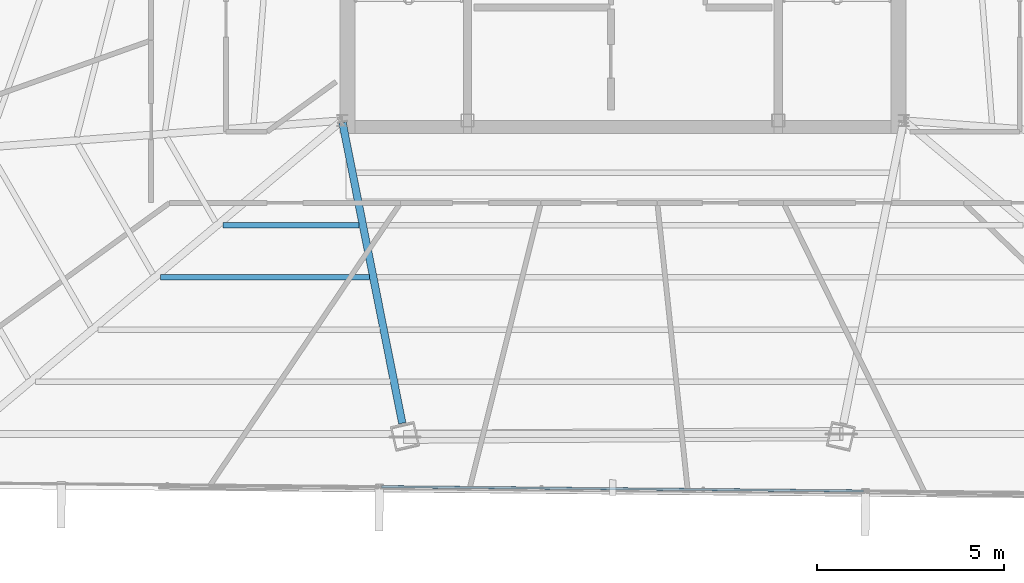
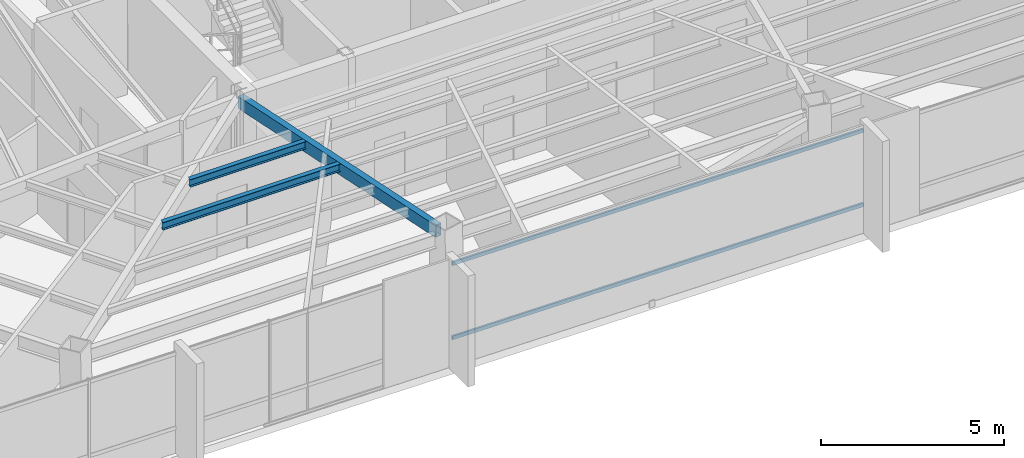
# One storey, part 12 of 46: 3 beams, 2 members, 1 element without a shape of its own.
"""IFC4 building model written with IfcOpenShell, lengths in metres."""

from ifc_helpers import new_model, si_unit, direction, frame, origin, origin_2d, place, context, subcontext, project, spatial, hollow_rectangle, i_section, extrude, source, transform, mapped, material, material_profile, profile_set, type_object, type_shapes, element, aggregate, save


model = new_model("IFC4")

# Units and contexts
model_context = context("Model", 3, precision=1e-05, world=origin(), true_north=direction((0.0, 1.0)))
body_context = subcontext(model_context, "Body", "Model", "MODEL_VIEW")
ifc_project = project(units=[si_unit("LENGTHUNIT", "METRE"), si_unit("AREAUNIT", "SQUARE_METRE"), si_unit("VOLUMEUNIT", "CUBIC_METRE"), si_unit("PLANEANGLEUNIT", "RADIAN"), si_unit("MASSUNIT", "GRAM", prefix="KILO")], contexts=[model_context])

# Site, building, storey
site_placement = place(None, origin())
site = spatial("IfcSite", under=ifc_project, at=site_placement, CompositionType="ELEMENT")
building_placement = place(site_placement, origin())
building = spatial("IfcBuilding", under=site, at=building_placement, Name="Caelisora Broadcast Tower", CompositionType="ELEMENT")
storey_placement = place(building_placement, frame((0.0, 0.0, 237.14990234375)))
storey = spatial("IfcBuildingStorey", under=building, at=storey_placement, Name="L62", CompositionType="ELEMENT", Elevation=237.14990234375)

# Beams
ifc_material_1 = material(Name="Steel Grade 350 (AS/NZS 1163 C350L0)", Category="steel")
ifc_material_profile_1 = material_profile(ifc_material_1, hollow_rectangle(XDim=0.199951171875, YDim=0.39990234375, WallThickness=0.012451171875, at=origin_2d()), Name="Steel Grade 350 (AS/NZS 1163 C350L0)")
ifc_profile_set_1 = profile_set([ifc_material_profile_1], Name="Steel Grade 350 (AS/NZS 1163 C350L0)")
beam_type_1 = type_object("IfcBeamType", Name="PG07", PredefinedType="BEAM", material=ifc_profile_set_1)
shared_shape_1 = source(origin(), body_context, "Body", "SweptSolid", [
    extrude(hollow_rectangle(XDim=0.199951171875, YDim=0.39990234375, WallThickness=0.012451171875, at=origin_2d()), origin(), (0.0, 0.0, 1.0), 8.18310546875),
])
type_shapes(beam_type_1, [shared_shape_1])
beam_1_placement = place(storey_placement, frame((30.51171875, 17.34130859375, 3.2001953125), z_axis=(0.194997219892, -0.980803794974, 0.0), x_axis=(0.980803794974, 0.194997219892, 0.0)))
element("IfcBeam", 1, at=beam_1_placement, inside=storey, type_object=beam_type_1, Name="L62 beam PG07", PredefinedType="BEAM", context=body_context, shape_type="MappedRepresentation", body=[
    mapped(shared_shape_1, transform((0.0, 0.0, 0.0), scale=1.0)),
])
ifc_material_2 = material(Name="Steel Grade 350 (AS/NZS 3679.1)", Category="steel")
ifc_material_profile_2 = material_profile(ifc_material_2, i_section(OverallWidth=0.14599609375, OverallDepth=0.256103515625, WebThickness=0.00634765625, FlangeThickness=0.010986328125, at=origin_2d()), Name="Steel Grade 350 (AS/NZS 3679.1)")
ifc_profile_set_2 = profile_set([ifc_material_profile_2], Name="Steel Grade 350 (AS/NZS 3679.1)")
beam_type_2 = type_object("IfcBeamType", Name="SB04", PredefinedType="JOIST", material=ifc_profile_set_2)
shared_shape_2 = source(origin(), body_context, "Body", "SweptSolid", [
    extrude(i_section(OverallWidth=0.14599609375, OverallDepth=0.256103515625, WebThickness=0.00634765625, FlangeThickness=0.010986328125, at=origin_2d()), origin(), (0.0, 0.0, 1.0), 3.637939453125),
])
beam_2_placement = place(storey_placement, frame((27.318115234375, 14.607666015625, 3.27197265625), z_axis=(1.0, 0.0, 0.0), x_axis=(0.0, 1.0, 0.0)))
element("IfcBeam", 2, at=beam_2_placement, inside=storey, type_object=beam_type_2, Name="L62 beam SB04", PredefinedType="JOIST", context=body_context, shape_type="MappedRepresentation", body=[
    mapped(shared_shape_2, transform((0.0, 0.0, 0.0), scale=1.0)),
])
shared_shape_3 = source(origin(), body_context, "Body", "SweptSolid", [
    extrude(i_section(OverallWidth=0.14599609375, OverallDepth=0.256103515625, WebThickness=0.00634765625, FlangeThickness=0.010986328125, at=origin_2d()), origin(), (0.0, 0.0, 1.0), 5.582763671875),
])
type_shapes(beam_type_2, [shared_shape_2, shared_shape_3])
beam_3_placement = place(storey_placement, frame((25.65087890625, 13.21142578125, 3.27197265625), z_axis=(1.0, 0.0, 0.0), x_axis=(0.0, 1.0, 0.0)))
element("IfcBeam", 3, at=beam_3_placement, inside=storey, type_object=beam_type_2, Name="L62 beam SB04", PredefinedType="JOIST", context=body_context, shape_type="MappedRepresentation", body=[
    mapped(shared_shape_3, transform((0.0, 0.0, 0.0), scale=1.0)),
])

# Curtain wall, members
ifc_material_3 = material(Name="Unitised Aluminium Insulated Shadow-Box Spandrel Curtain Wall", Category="aluminium")
curtain_wall_type = type_object("IfcCurtainWallType", Name="CW-SP3", PredefinedType="NOTDEFINED", material=ifc_material_3)
curtain_wall_placement = place(storey_placement, origin())
curtain_wall = element("IfcCurtainWall", 4, at=curtain_wall_placement, inside=storey, type_object=curtain_wall_type, Name="L62 curtain wall CW-SP3", PredefinedType="NOTDEFINED")
ifc_material_4 = material(Name="Aluminium 6063-T6 Anodised Terracotta Bronze", Category="aluminium")
ifc_material_profile_3 = material_profile(ifc_material_4, hollow_rectangle(XDim=0.06005859375, YDim=0.1201171875, WallThickness=0.0029296875, at=origin_2d()), Name="Aluminium 6063-T6 Anodised Terracotta Bronze")
ifc_profile_set_3 = profile_set([ifc_material_profile_3], Name="Aluminium 6063-T6 Anodised Terracotta Bronze")
member_type = type_object("IfcMemberType", Name="CWT-03", PredefinedType="USERDEFINED", material=ifc_profile_set_3)
shared_shape_4 = source(origin(), body_context, "Body", "SweptSolid", [
    extrude(hollow_rectangle(XDim=0.06005859375, YDim=0.1201171875, WallThickness=0.0029296875, at=origin_2d()), origin(), (0.0, 0.0, 1.0), 12.8759765625),
])
type_shapes(member_type, [shared_shape_4])
member_1_placement = place(storey_placement, frame((44.42529296875, 7.504638671875, 0.85009765625), z_axis=(-0.999960121526, 0.008930585484, 0.0), x_axis=(-0.008930585484, -0.999960121526, 0.0)))
member_1 = element("IfcMember", 5, at=member_1_placement, type_object=member_type, Name="L62-CW-B06 transom #1", ObjectType="TRANSOM", PredefinedType="USERDEFINED", context=body_context, shape_type="MappedRepresentation", body=[
    mapped(shared_shape_4, transform((0.0, 0.0, 0.0), scale=1.0)),
])
member_2_placement = place(storey_placement, frame((44.42529296875, 7.504638671875, 3.320068359375), z_axis=(-0.999960121526, 0.008930585484, 0.0), x_axis=(-0.008930585484, -0.999960121526, 0.0)))
member_2 = element("IfcMember", 6, at=member_2_placement, type_object=member_type, Name="L62-CW-B06 transom #2", ObjectType="TRANSOM", PredefinedType="USERDEFINED", context=body_context, shape_type="MappedRepresentation", body=[
    mapped(shared_shape_4, transform((0.0, 0.0, 0.0), scale=1.0)),
])
aggregate(curtain_wall, [member_1, member_2])

save(model, "model.ifc")
